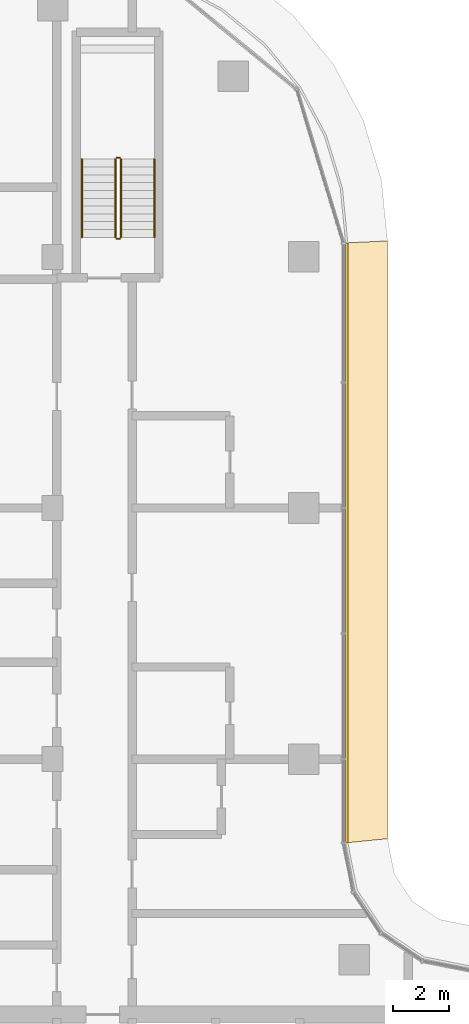
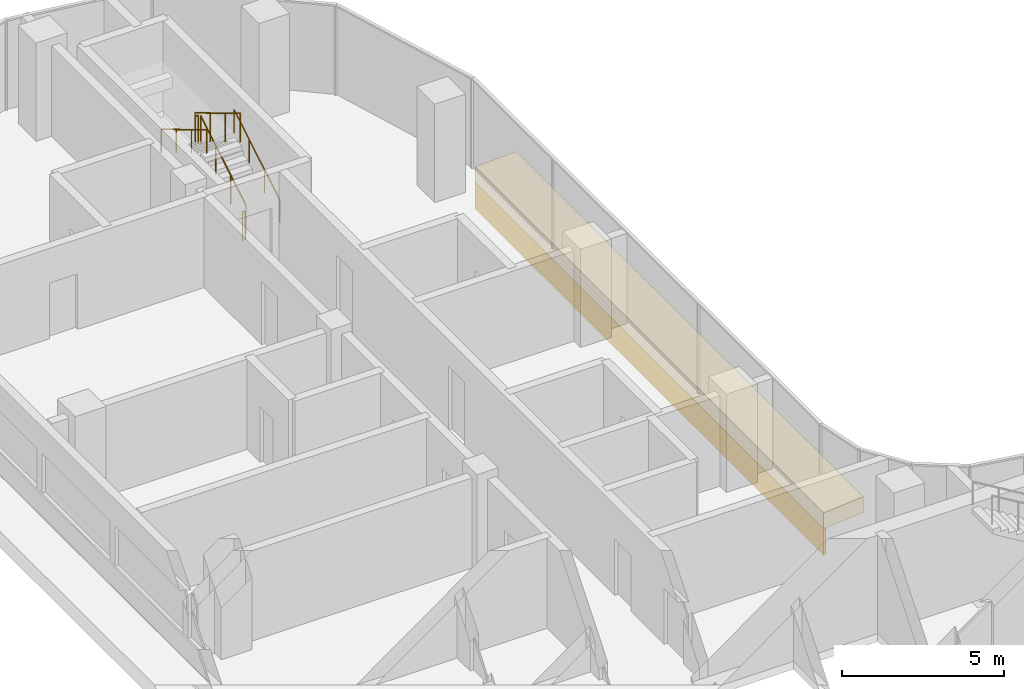
# One storey, part 23 of 24: 6 railings, 2 coverings.
"""IFC4 building model written with IfcOpenShell, lengths in metres."""

from ifc_helpers import new_model, si_unit, direction, frame, origin, origin_2d, place, context, subcontext, project, spatial, polyline, circle, outline, extrude, material, layer, layer_set, type_object, element, save


model = new_model("IFC4")

# Units and contexts
model_context = context("Model", 3, precision=1e-05, world=origin(), true_north=direction((0.0, 1.0)))
body_context = subcontext(model_context, "Body", "Model", "MODEL_VIEW")
ifc_project = project(units=[si_unit("LENGTHUNIT", "METRE"), si_unit("AREAUNIT", "SQUARE_METRE"), si_unit("VOLUMEUNIT", "CUBIC_METRE"), si_unit("PLANEANGLEUNIT", "RADIAN"), si_unit("MASSUNIT", "GRAM", prefix="KILO")], contexts=[model_context])

# Site, building, storey
site_placement = place(None, origin())
site = spatial("IfcSite", under=ifc_project, at=site_placement, CompositionType="ELEMENT")
building_placement = place(site_placement, origin())
building = spatial("IfcBuilding", under=site, at=building_placement, Name="Ogive Portal Towers", CompositionType="ELEMENT")
storey_placement = place(building_placement, frame((0.0, 0.0, 142.199951171875)))
storey = spatial("IfcBuildingStorey", under=building, at=storey_placement, Name="L34", CompositionType="ELEMENT", Elevation=142.199951171875)

# Railings
ifc_material_1 = material(Name="Stainless steel balustrade", Category="steel")
railing_type_1 = type_object("IfcRailingType", Name="INT-GUARD", PredefinedType="GUARDRAIL", material=ifc_material_1)
railing_1_placement = place(storey_placement, frame((42.949951171875, 67.199951171875, 0.168212890625)))
element("IfcRailing", 1, at=railing_1_placement, inside=storey, type_object=railing_type_1, Name="L34 ST-A3 stair guard 1", PredefinedType="GUARDRAIL", context=body_context, shape_type="SweptSolid", body=[
    extrude(circle(Radius=0.02392578125, at=origin_2d()), frame((0.0, 0.0, 1.076171875), z_axis=(0.0, 0.857242210791, 0.514913383045), x_axis=(-1.0, 0.0, 0.0)), (0.0, 0.0, 1.0), 3.266357421875),
    extrude(circle(Radius=0.02099609375, at=origin_2d()), origin(), (0.0, 0.0, 1.0), 1.052001953125),
    extrude(circle(Radius=0.02099609375, at=origin_2d()), frame((0.0, 0.933349609375, 0.560546875)), (0.0, 0.0, 1.0), 1.052001953125),
    extrude(circle(Radius=0.02099609375, at=origin_2d()), frame((0.0, 1.86669921875, 1.121337890625)), (0.0, 0.0, 1.0), 1.052001953125),
    extrude(circle(Radius=0.02099609375, at=origin_2d()), frame((0.0, 2.800048828125, 1.681884765625)), (0.0, 0.0, 1.0), 1.052001953125),
])
railing_2_placement = place(storey_placement, frame((42.89990234375, 70.050048828125, 1.85009765625)))
element("IfcRailing", 2, at=railing_2_placement, inside=storey, type_object=railing_type_1, Name="L34 ST-A3 stair guard 2", PredefinedType="GUARDRAIL", context=body_context, shape_type="SweptSolid", body=[
    extrude(circle(Radius=0.02392578125, at=origin_2d()), frame((0.0, 0.0, 1.076171875), z_axis=(-1.0, 0.0, 0.0), x_axis=(0.0, -1.0, 0.0)), (0.0, 0.0, 1.0), 0.099853515625),
    extrude(circle(Radius=0.02099609375, at=origin_2d()), origin(), (0.0, 0.0, 1.0), 1.052001953125),
    extrude(circle(Radius=0.02099609375, at=origin_2d()), frame((-0.099853515625, 0.0, 0.0)), (0.0, 0.0, 1.0), 1.052001953125),
])
railing_3_placement = place(storey_placement, frame((42.75, 70.0, 2.018310546875)))
element("IfcRailing", 3, at=railing_3_placement, inside=storey, type_object=railing_type_1, Name="L34 ST-A3 stair guard 3", PredefinedType="GUARDRAIL", context=body_context, shape_type="SweptSolid", body=[
    extrude(circle(Radius=0.02392578125, at=origin_2d()), frame((0.0, 0.0, 1.076171875), z_axis=(0.0, -0.857275202839, 0.514858452973), x_axis=(1.0, 0.0, 0.0)), (0.0, 0.0, 1.0), 3.26611328125),
    extrude(circle(Radius=0.02099609375, at=origin_2d()), origin(), (0.0, 0.0, 1.0), 1.052001953125),
    extrude(circle(Radius=0.02099609375, at=origin_2d()), frame((0.0, -0.933349609375, 0.560546875)), (0.0, 0.0, 1.0), 1.052001953125),
    extrude(circle(Radius=0.02099609375, at=origin_2d()), frame((0.0, -1.86669921875, 1.12109375)), (0.0, 0.0, 1.0), 1.052001953125),
    extrude(circle(Radius=0.02099609375, at=origin_2d()), frame((0.0, -2.800048828125, 1.681640625)), (0.0, 0.0, 1.0), 1.052001953125),
])
railing_4_placement = place(storey_placement, frame((42.89990234375, 67.14990234375, 0.0)))
element("IfcRailing", 4, at=railing_4_placement, inside=storey, type_object=railing_type_1, Name="L34 ST-A3 stair guard 4", PredefinedType="GUARDRAIL", context=body_context, shape_type="SweptSolid", body=[
    extrude(circle(Radius=0.02392578125, at=origin_2d()), frame((0.0, 0.0, 1.076171875), z_axis=(-1.0, 0.0, 0.0), x_axis=(0.0, -1.0, 0.0)), (0.0, 0.0, 1.0), 0.099853515625),
    extrude(circle(Radius=0.02099609375, at=origin_2d()), origin(), (0.0, 0.0, 1.0), 1.052001953125),
    extrude(circle(Radius=0.02099609375, at=origin_2d()), frame((-0.099853515625, 0.0, 0.0)), (0.0, 0.0, 1.0), 1.052001953125),
])
ifc_material_2 = material(Name="Stainless steel handrail", Category="steel")
railing_type_2 = type_object("IfcRailingType", Name="INT-HANDRAIL", PredefinedType="HANDRAIL", material=ifc_material_2)
railing_5_placement = place(storey_placement, frame((44.14990234375, 67.199951171875, 0.168212890625)))
element("IfcRailing", 5, at=railing_5_placement, inside=storey, type_object=railing_type_2, Name="L34 ST-A3 stair handrail 1", PredefinedType="HANDRAIL", context=body_context, shape_type="SweptSolid", body=[
    extrude(circle(Radius=0.02392578125, at=origin_2d()), frame((0.0, 0.0, 0.8759765625), z_axis=(0.0, 0.857242210791, 0.514913383045), x_axis=(-1.0, 0.0, 0.0)), (0.0, 0.0, 1.0), 3.266357421875),
    extrude(circle(Radius=0.02099609375, at=origin_2d()), origin(), (0.0, 0.0, 1.0), 0.851806640625),
    extrude(circle(Radius=0.02099609375, at=origin_2d()), frame((0.0, 0.933349609375, 0.560546875)), (0.0, 0.0, 1.0), 0.851806640625),
    extrude(circle(Radius=0.02099609375, at=origin_2d()), frame((0.0, 1.86669921875, 1.121337890625)), (0.0, 0.0, 1.0), 0.851806640625),
    extrude(circle(Radius=0.02099609375, at=origin_2d()), frame((0.0, 2.800048828125, 1.681884765625)), (0.0, 0.0, 1.0), 0.851806640625),
])
railing_6_placement = place(storey_placement, frame((41.550048828125, 70.0, 2.018310546875)))
element("IfcRailing", 6, at=railing_6_placement, inside=storey, type_object=railing_type_2, Name="L34 ST-A3 stair handrail 2", PredefinedType="HANDRAIL", context=body_context, shape_type="SweptSolid", body=[
    extrude(circle(Radius=0.02392578125, at=origin_2d()), frame((0.0, 0.0, 0.8759765625), z_axis=(0.0, -0.857275202839, 0.514858452973), x_axis=(1.0, 0.0, 0.0)), (0.0, 0.0, 1.0), 3.26611328125),
    extrude(circle(Radius=0.02099609375, at=origin_2d()), origin(), (0.0, 0.0, 1.0), 0.851806640625),
    extrude(circle(Radius=0.02099609375, at=origin_2d()), frame((0.0, -0.933349609375, 0.560546875)), (0.0, 0.0, 1.0), 0.851806640625),
    extrude(circle(Radius=0.02099609375, at=origin_2d()), frame((0.0, -1.86669921875, 1.12109375)), (0.0, 0.0, 1.0), 0.851806640625),
    extrude(circle(Radius=0.02099609375, at=origin_2d()), frame((0.0, -2.800048828125, 1.681640625)), (0.0, 0.0, 1.0), 0.851806640625),
])

# Coverings
ifc_material_3 = material(Name="Limestone cladding on lightweight block wall", Category="masonry")
ifc_layer_1 = layer(ifc_material_3, 0.080078125)
ifc_layer_set_1 = layer_set([ifc_layer_1], Name="STONE SPANDREL 80")
covering_type_1 = type_object("IfcCoveringType", Name="STONE SPANDREL 80", PredefinedType="CLADDING", material=ifc_layer_set_1)
covering_1_placement = place(storey_placement, frame((0.0, 0.0, -1.599853515625)))
element("IfcCovering", 7, at=covering_1_placement, inside=storey, type_object=covering_type_1, Name="Stone spandrel A1-F11", PredefinedType="CLADDING", context=body_context, shape_type="SweptSolid", body=[
    extrude(outline(polyline([(51.0, 45.5), (51.0, 67.0), (51.080078125, 67.00390625), (51.080078125, 45.5078125), (51.0, 45.5)])), origin(), (0.0, 0.0, 1.0), 1.0),
])
ifc_layer_2 = layer(ifc_material_3, 0.60009765625)
ifc_layer_set_2 = layer_set([ifc_layer_2], Name="SUNSHADE LIP 600")
covering_type_2 = type_object("IfcCoveringType", Name="SUNSHADE LIP 600", PredefinedType="CLADDING", material=ifc_layer_set_2)
covering_2_placement = place(storey_placement, frame((0.0, 0.0, -0.599853515625)))
element("IfcCovering", 8, at=covering_2_placement, inside=storey, type_object=covering_type_2, Name="Sunshade lip A1-F11", PredefinedType="CLADDING", context=body_context, shape_type="SweptSolid", body=[
    extrude(outline(polyline([(51.0, 45.5), (51.0, 67.0), (52.5, 67.07373046875), (52.5, 45.647705078125), (51.0, 45.5)])), origin(), (0.0, 0.0, 1.0), 0.599853515625),
])

save(model, "model.ifc")
